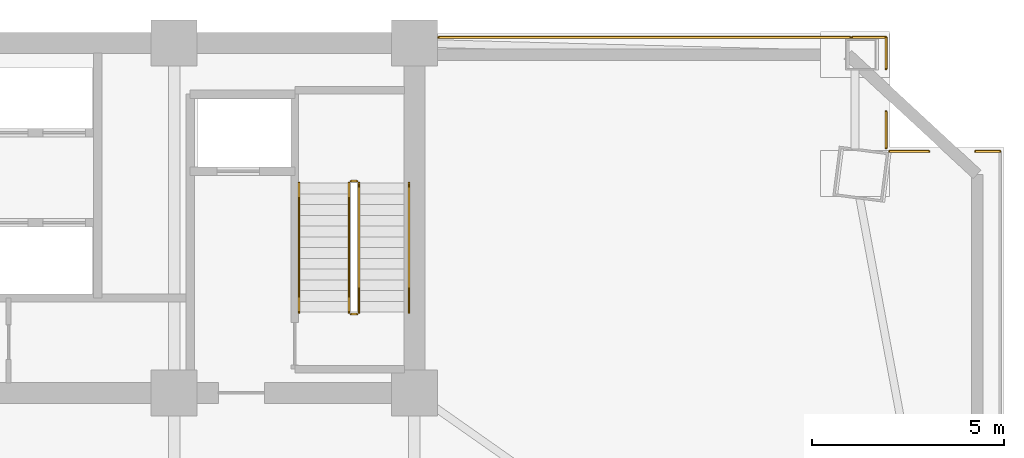
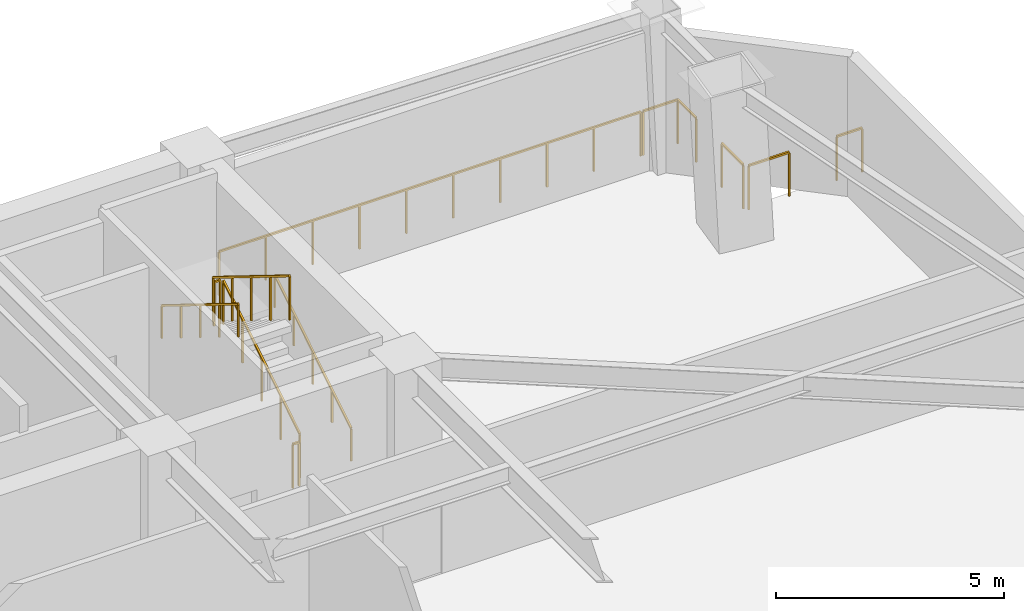
# One storey, part 9 of 9: 12 railings.
"""IFC4 building model written with IfcOpenShell, lengths in metres."""

from ifc_helpers import new_model, si_unit, direction, frame, origin, origin_2d, place, context, subcontext, project, spatial, rectangle, extrude, material, type_object, element, save


model = new_model("IFC4")

# Units and contexts
model_context = context("Model", 3, precision=1e-05, world=origin(), true_north=direction((0.0, 1.0)))
body_context = subcontext(model_context, "Body", "Model", "MODEL_VIEW")
ifc_project = project(units=[si_unit("LENGTHUNIT", "METRE"), si_unit("AREAUNIT", "SQUARE_METRE"), si_unit("VOLUMEUNIT", "CUBIC_METRE"), si_unit("PLANEANGLEUNIT", "RADIAN"), si_unit("MASSUNIT", "GRAM", prefix="KILO")], contexts=[model_context])

# Site, building, storey
site_placement = place(None, origin())
site = spatial("IfcSite", under=ifc_project, at=site_placement, CompositionType="ELEMENT")
building_placement = place(site_placement, origin())
building = spatial("IfcBuilding", under=site, at=building_placement, Name="Giltprow Tower", CompositionType="ELEMENT")
storey_placement = place(building_placement, frame((0.0, 0.0, 144.699951171875)))
storey = spatial("IfcBuildingStorey", under=building, at=storey_placement, Name="L35", CompositionType="ELEMENT", Elevation=144.699951171875)

# Railings
ifc_material = material(Name="Anodized bronze", Category="metal")
railing_type_1 = type_object("IfcRailingType", Name="RAIL-BALC-GUARD-1200", PredefinedType="BALUSTRADE", material=ifc_material)
railing_1_placement = place(storey_placement, frame((51.18505859375, 46.698974609375, 0.0)))
element("IfcRailing", 1, at=railing_1_placement, inside=storey, type_object=railing_type_1, Name="L35 Corner Apron Edge Balustrade 10", PredefinedType="BALUSTRADE", context=body_context, shape_type="SweptSolid", body=[
    extrude(rectangle(XDim=0.048095703125, YDim=0.048095703125, at=origin_2d()), frame((0.0, 0.0, 1.17578125), z_axis=(1.0, 0.0, 0.0), x_axis=(0.0, 1.0, 0.0)), (0.0, 0.0, 1.0), 10.697021484375),
    extrude(rectangle(XDim=0.0419921875, YDim=0.0419921875, at=origin_2d()), origin(), (0.0, 0.0, 1.0), 1.15185546875),
    extrude(rectangle(XDim=0.0419921875, YDim=0.0419921875, at=origin_2d()), frame((1.1884765625, 0.0, 0.0)), (0.0, 0.0, 1.0), 1.15185546875),
    extrude(rectangle(XDim=0.0419921875, YDim=0.0419921875, at=origin_2d()), frame((2.377197265625, 0.0, 0.0)), (0.0, 0.0, 1.0), 1.15185546875),
    extrude(rectangle(XDim=0.0419921875, YDim=0.0419921875, at=origin_2d()), frame((3.565673828125, 0.0, 0.0)), (0.0, 0.0, 1.0), 1.15185546875),
    extrude(rectangle(XDim=0.0419921875, YDim=0.0419921875, at=origin_2d()), frame((4.754150390625, 0.0, 0.0)), (0.0, 0.0, 1.0), 1.15185546875),
    extrude(rectangle(XDim=0.0419921875, YDim=0.0419921875, at=origin_2d()), frame((5.94287109375, 0.0, 0.0)), (0.0, 0.0, 1.0), 1.15185546875),
    extrude(rectangle(XDim=0.0419921875, YDim=0.0419921875, at=origin_2d()), frame((7.13134765625, 0.0, 0.0)), (0.0, 0.0, 1.0), 1.15185546875),
    extrude(rectangle(XDim=0.0419921875, YDim=0.0419921875, at=origin_2d()), frame((8.31982421875, 0.0, 0.0)), (0.0, 0.0, 1.0), 1.15185546875),
    extrude(rectangle(XDim=0.0419921875, YDim=0.0419921875, at=origin_2d()), frame((9.508544921875, 0.0, 0.0)), (0.0, 0.0, 1.0), 1.15185546875),
    extrude(rectangle(XDim=0.0419921875, YDim=0.0419921875, at=origin_2d()), frame((10.697021484375, 0.0, 0.0)), (0.0, 0.0, 1.0), 1.15185546875),
])
railing_2_placement = place(storey_placement, frame((61.93994140625, 46.698974609375, 0.0)))
element("IfcRailing", 2, at=railing_2_placement, inside=storey, type_object=railing_type_1, Name="L35 Corner Apron Edge Balustrade 11", PredefinedType="BALUSTRADE", context=body_context, shape_type="SweptSolid", body=[
    extrude(rectangle(XDim=0.048095703125, YDim=0.048095703125, at=origin_2d()), frame((0.0, 0.0, 1.17578125), z_axis=(1.0, 0.0, 0.0), x_axis=(0.0, 1.0, 0.0)), (0.0, 0.0, 1.0), 0.881103515625),
    extrude(rectangle(XDim=0.0419921875, YDim=0.0419921875, at=origin_2d()), origin(), (0.0, 0.0, 1.0), 1.15185546875),
    extrude(rectangle(XDim=0.0419921875, YDim=0.0419921875, at=origin_2d()), frame((0.881103515625, 0.0, 0.0)), (0.0, 0.0, 1.0), 1.15185546875),
])
railing_3_placement = place(storey_placement, frame((62.821044921875, 46.698974609375, 0.0)))
element("IfcRailing", 3, at=railing_3_placement, inside=storey, type_object=railing_type_1, Name="L35 Corner Apron Edge Balustrade 12", PredefinedType="BALUSTRADE", context=body_context, shape_type="SweptSolid", body=[
    extrude(rectangle(XDim=0.048095703125, YDim=0.048095703125, at=origin_2d()), frame((0.0, 0.0, 1.17578125), z_axis=(0.0, -1.0, 0.0), x_axis=(1.0, 0.0, 0.0)), (0.0, 0.0, 1.0), 0.81591796875),
    extrude(rectangle(XDim=0.0419921875, YDim=0.0419921875, at=origin_2d()), origin(), (0.0, 0.0, 1.0), 1.15185546875),
    extrude(rectangle(XDim=0.0419921875, YDim=0.0419921875, at=origin_2d()), frame((0.0, -0.81591796875, 0.0)), (0.0, 0.0, 1.0), 1.15185546875),
])
railing_4_placement = place(storey_placement, frame((62.821044921875, 44.764892578125, 0.0)))
element("IfcRailing", 4, at=railing_4_placement, inside=storey, type_object=railing_type_1, Name="L35 Corner Apron Edge Balustrade 13", PredefinedType="BALUSTRADE", context=body_context, shape_type="SweptSolid", body=[
    extrude(rectangle(XDim=0.048095703125, YDim=0.048095703125, at=origin_2d()), frame((0.0, 0.0, 1.17578125), z_axis=(0.0, -1.0, 0.0), x_axis=(1.0, 0.0, 0.0)), (0.0, 0.0, 1.0), 0.94580078125),
    extrude(rectangle(XDim=0.0419921875, YDim=0.0419921875, at=origin_2d()), origin(), (0.0, 0.0, 1.0), 1.15185546875),
    extrude(rectangle(XDim=0.0419921875, YDim=0.0419921875, at=origin_2d()), frame((0.0, -0.94580078125, 0.0)), (0.0, 0.0, 1.0), 1.15185546875),
])
railing_5_placement = place(storey_placement, frame((62.906005859375, 43.73388671875, 0.0)))
element("IfcRailing", 5, at=railing_5_placement, inside=storey, type_object=railing_type_1, Name="L35 Corner Apron Edge Balustrade 14", PredefinedType="BALUSTRADE", context=body_context, shape_type="SweptSolid", body=[
    extrude(rectangle(XDim=0.048095703125, YDim=0.048095703125, at=origin_2d()), frame((0.0, 0.0, 1.17578125), z_axis=(1.0, 0.0, 0.0), x_axis=(0.0, 1.0, 0.0)), (0.0, 0.0, 1.0), 1.029052734375),
    extrude(rectangle(XDim=0.0419921875, YDim=0.0419921875, at=origin_2d()), origin(), (0.0, 0.0, 1.0), 1.15185546875),
    extrude(rectangle(XDim=0.0419921875, YDim=0.0419921875, at=origin_2d()), frame((1.029052734375, 0.0, 0.0)), (0.0, 0.0, 1.0), 1.15185546875),
])
railing_6_placement = place(storey_placement, frame((65.14111328125, 43.73388671875, 0.0)))
element("IfcRailing", 6, at=railing_6_placement, inside=storey, type_object=railing_type_1, Name="L35 Corner Apron Edge Balustrade 15", PredefinedType="BALUSTRADE", context=body_context, shape_type="SweptSolid", body=[
    extrude(rectangle(XDim=0.048095703125, YDim=0.048095703125, at=origin_2d()), frame((0.0, 0.0, 1.17578125), z_axis=(1.0, 0.0, 0.0), x_axis=(0.0, 1.0, 0.0)), (0.0, 0.0, 1.0), 0.644775390625),
    extrude(rectangle(XDim=0.0419921875, YDim=0.0419921875, at=origin_2d()), origin(), (0.0, 0.0, 1.0), 1.15185546875),
    extrude(rectangle(XDim=0.0419921875, YDim=0.0419921875, at=origin_2d()), frame((0.644775390625, 0.0, 0.0)), (0.0, 0.0, 1.0), 1.15185546875),
])
railing_type_2 = type_object("IfcRailingType", Name="RAIL-STAIR-GUARD-1200", PredefinedType="GUARDRAIL", material=ifc_material)
railing_7_placement = place(storey_placement, frame((49.110107421875, 39.550048828125, 0.173095703125)))
element("IfcRailing", 7, at=railing_7_placement, inside=storey, type_object=railing_type_2, Name="L35 ST-3 stair guard 1", PredefinedType="GUARDRAIL", context=body_context, shape_type="SweptSolid", body=[
    extrude(rectangle(XDim=0.048095703125, YDim=0.048095703125, at=origin_2d()), frame((0.0, 0.0, 1.17578125), z_axis=(0.0, 0.850606129759, 0.525803396734), x_axis=(-1.0, 0.0, 0.0)), (0.0, 0.0, 1.0), 3.949951171875),
    extrude(rectangle(XDim=0.0419921875, YDim=0.0419921875, at=origin_2d()), origin(), (0.0, 0.0, 1.0), 1.15185546875),
    extrude(rectangle(XDim=0.0419921875, YDim=0.0419921875, at=origin_2d()), frame((0.0, 0.83984375, 0.519287109375)), (0.0, 0.0, 1.0), 1.15185546875),
    extrude(rectangle(XDim=0.0419921875, YDim=0.0419921875, at=origin_2d()), frame((0.0, 1.679931640625, 1.03857421875)), (0.0, 0.0, 1.0), 1.15185546875),
    extrude(rectangle(XDim=0.0419921875, YDim=0.0419921875, at=origin_2d()), frame((0.0, 2.52001953125, 1.5576171875)), (0.0, 0.0, 1.0), 1.15185546875),
    extrude(rectangle(XDim=0.0419921875, YDim=0.0419921875, at=origin_2d()), frame((0.0, 3.35986328125, 2.076904296875)), (0.0, 0.0, 1.0), 1.15185546875),
])
railing_8_placement = place(storey_placement, frame((49.06005859375, 42.9599609375, 2.25)))
element("IfcRailing", 8, at=railing_8_placement, inside=storey, type_object=railing_type_2, Name="L35 ST-3 stair guard 2", PredefinedType="GUARDRAIL", context=body_context, shape_type="SweptSolid", body=[
    extrude(rectangle(XDim=0.048095703125, YDim=0.048095703125, at=origin_2d()), frame((0.0, 0.0, 1.17578125), z_axis=(-1.0, 0.0, 0.0), x_axis=(0.0, -1.0, 0.0)), (0.0, 0.0, 1.0), 0.16015625),
    extrude(rectangle(XDim=0.0419921875, YDim=0.0419921875, at=origin_2d()), origin(), (0.0, 0.0, 1.0), 1.15185546875),
    extrude(rectangle(XDim=0.0419921875, YDim=0.0419921875, at=origin_2d()), frame((-0.16015625, 0.0, 0.0)), (0.0, 0.0, 1.0), 1.15185546875),
])
railing_9_placement = place(storey_placement, frame((48.85009765625, 42.909912109375, 2.423095703125)))
element("IfcRailing", 9, at=railing_9_placement, inside=storey, type_object=railing_type_2, Name="L35 ST-3 stair guard 3", PredefinedType="GUARDRAIL", context=body_context, shape_type="SweptSolid", body=[
    extrude(rectangle(XDim=0.048095703125, YDim=0.048095703125, at=origin_2d()), frame((0.0, 0.0, 1.17578125), z_axis=(0.0, -0.850606129759, 0.525803396734), x_axis=(1.0, 0.0, 0.0)), (0.0, 0.0, 1.0), 3.949951171875),
    extrude(rectangle(XDim=0.0419921875, YDim=0.0419921875, at=origin_2d()), origin(), (0.0, 0.0, 1.0), 1.15185546875),
    extrude(rectangle(XDim=0.0419921875, YDim=0.0419921875, at=origin_2d()), frame((0.0, -0.83984375, 0.519287109375)), (0.0, 0.0, 1.0), 1.15185546875),
    extrude(rectangle(XDim=0.0419921875, YDim=0.0419921875, at=origin_2d()), frame((0.0, -1.679931640625, 1.03857421875)), (0.0, 0.0, 1.0), 1.15185546875),
    extrude(rectangle(XDim=0.0419921875, YDim=0.0419921875, at=origin_2d()), frame((0.0, -2.52001953125, 1.5576171875)), (0.0, 0.0, 1.0), 1.15185546875),
    extrude(rectangle(XDim=0.0419921875, YDim=0.0419921875, at=origin_2d()), frame((0.0, -3.35986328125, 2.076904296875)), (0.0, 0.0, 1.0), 1.15185546875),
])
railing_10_placement = place(storey_placement, frame((49.06005859375, 39.5, 0.0)))
element("IfcRailing", 10, at=railing_10_placement, inside=storey, type_object=railing_type_2, Name="L35 ST-3 stair guard 4", PredefinedType="GUARDRAIL", context=body_context, shape_type="SweptSolid", body=[
    extrude(rectangle(XDim=0.048095703125, YDim=0.048095703125, at=origin_2d()), frame((0.0, 0.0, 1.17578125), z_axis=(-1.0, 0.0, 0.0), x_axis=(0.0, -1.0, 0.0)), (0.0, 0.0, 1.0), 0.16015625),
    extrude(rectangle(XDim=0.0419921875, YDim=0.0419921875, at=origin_2d()), origin(), (0.0, 0.0, 1.0), 1.15185546875),
    extrude(rectangle(XDim=0.0419921875, YDim=0.0419921875, at=origin_2d()), frame((-0.16015625, 0.0, 0.0)), (0.0, 0.0, 1.0), 1.15185546875),
])
railing_type_3 = type_object("IfcRailingType", Name="RAIL-STAIR-HAND-900", PredefinedType="HANDRAIL", material=ifc_material)
railing_11_placement = place(storey_placement, frame((50.409912109375, 39.550048828125, 0.173095703125)))
element("IfcRailing", 11, at=railing_11_placement, inside=storey, type_object=railing_type_3, Name="L35 ST-3 stair handrail 1", PredefinedType="HANDRAIL", context=body_context, shape_type="SweptSolid", body=[
    extrude(rectangle(XDim=0.048095703125, YDim=0.048095703125, at=origin_2d()), frame((0.0, 0.0, 0.8759765625), z_axis=(0.0, 0.850606129759, 0.525803396734), x_axis=(-1.0, 0.0, 0.0)), (0.0, 0.0, 1.0), 3.949951171875),
    extrude(rectangle(XDim=0.0419921875, YDim=0.0419921875, at=origin_2d()), origin(), (0.0, 0.0, 1.0), 0.851806640625),
    extrude(rectangle(XDim=0.0419921875, YDim=0.0419921875, at=origin_2d()), frame((0.0, 0.83984375, 0.519287109375)), (0.0, 0.0, 1.0), 0.851806640625),
    extrude(rectangle(XDim=0.0419921875, YDim=0.0419921875, at=origin_2d()), frame((0.0, 1.679931640625, 1.03857421875)), (0.0, 0.0, 1.0), 0.851806640625),
    extrude(rectangle(XDim=0.0419921875, YDim=0.0419921875, at=origin_2d()), frame((0.0, 2.52001953125, 1.5576171875)), (0.0, 0.0, 1.0), 0.851806640625),
    extrude(rectangle(XDim=0.0419921875, YDim=0.0419921875, at=origin_2d()), frame((0.0, 3.35986328125, 2.076904296875)), (0.0, 0.0, 1.0), 0.851806640625),
])
railing_12_placement = place(storey_placement, frame((47.550048828125, 42.909912109375, 2.423095703125)))
element("IfcRailing", 12, at=railing_12_placement, inside=storey, type_object=railing_type_3, Name="L35 ST-3 stair handrail 2", PredefinedType="HANDRAIL", context=body_context, shape_type="SweptSolid", body=[
    extrude(rectangle(XDim=0.048095703125, YDim=0.048095703125, at=origin_2d()), frame((0.0, 0.0, 0.8759765625), z_axis=(0.0, -0.850606129759, 0.525803396734), x_axis=(1.0, 0.0, 0.0)), (0.0, 0.0, 1.0), 3.949951171875),
    extrude(rectangle(XDim=0.0419921875, YDim=0.0419921875, at=origin_2d()), origin(), (0.0, 0.0, 1.0), 0.851806640625),
    extrude(rectangle(XDim=0.0419921875, YDim=0.0419921875, at=origin_2d()), frame((0.0, -0.83984375, 0.519287109375)), (0.0, 0.0, 1.0), 0.851806640625),
    extrude(rectangle(XDim=0.0419921875, YDim=0.0419921875, at=origin_2d()), frame((0.0, -1.679931640625, 1.03857421875)), (0.0, 0.0, 1.0), 0.851806640625),
    extrude(rectangle(XDim=0.0419921875, YDim=0.0419921875, at=origin_2d()), frame((0.0, -2.52001953125, 1.5576171875)), (0.0, 0.0, 1.0), 0.851806640625),
    extrude(rectangle(XDim=0.0419921875, YDim=0.0419921875, at=origin_2d()), frame((0.0, -3.35986328125, 2.076904296875)), (0.0, 0.0, 1.0), 0.851806640625),
])

save(model, "model.ifc")
